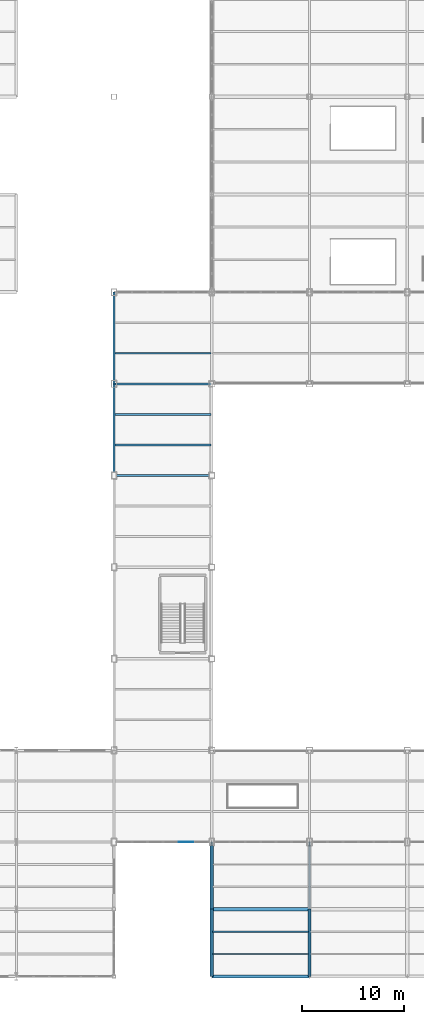
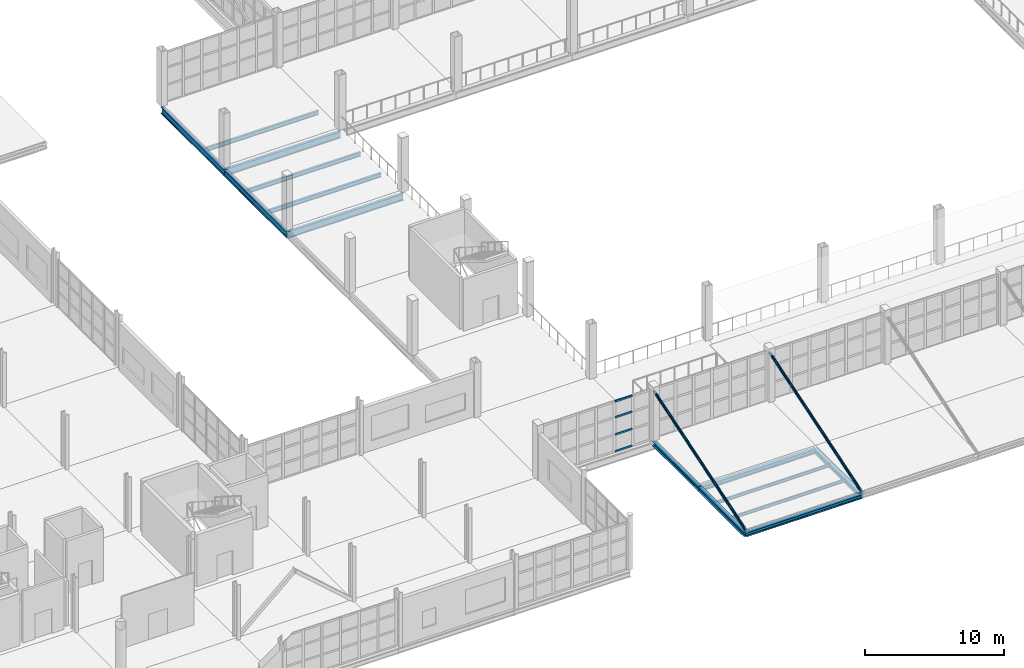
# One storey, part 26 of 120: 14 beams, 6 members, 1 element without a shape of its own.
"""IFC4 building model written with IfcOpenShell, lengths in metres."""

from ifc_helpers import new_model, si_unit, direction, frame, origin, origin_2d, place, context, subcontext, project, spatial, rectangle, hollow_circle, i_section, extrude, material, layer, layer_set, material_profile, profile_set, type_object, element, aggregate, save


model = new_model("IFC4")

# Units and contexts
model_context = context("Model", 3, precision=1e-05, world=origin(), true_north=direction((0.0, 1.0)))
body_context = subcontext(model_context, "Body", "Model", "MODEL_VIEW")
ifc_project = project(units=[si_unit("LENGTHUNIT", "METRE"), si_unit("AREAUNIT", "SQUARE_METRE"), si_unit("VOLUMEUNIT", "CUBIC_METRE"), si_unit("PLANEANGLEUNIT", "RADIAN"), si_unit("MASSUNIT", "GRAM", prefix="KILO")], contexts=[model_context])

# Site, building, storey
site_placement = place(None, origin())
site = spatial("IfcSite", under=ifc_project, at=site_placement, CompositionType="ELEMENT")
building_placement = place(site_placement, origin())
building = spatial("IfcBuilding", under=site, at=building_placement, Name="Zarnetskaya Central Station", CompositionType="ELEMENT")
storey_placement = place(building_placement, frame((0.0, 0.0, 5.39990234375)))
storey = spatial("IfcBuildingStorey", under=building, at=storey_placement, Name="L01", CompositionType="ELEMENT", Elevation=5.39990234375)

# Beams
ifc_material_1 = material(Name="Steel S355", Category="steel")
ifc_material_profile_1 = material_profile(ifc_material_1, i_section(OverallWidth=0.135009765625, OverallDepth=0.27001953125, WebThickness=0.006591796875, FlangeThickness=0.01025390625, FilletRadius=0.014892578125, at=origin_2d()), Name="IPE 270")
ifc_profile_set_1 = profile_set([ifc_material_profile_1], Name="Steel S355")
beam_type_1 = type_object("IfcBeamType", Name="BM-JST-270", PredefinedType="JOIST", material=ifc_profile_set_1)
for number, where, z_axis, x_axis, name in (
    (1, (67.280029296875, 2.199951171875, -0.294921875), (1.0, 0.0, 0.0), (0.0, 1.0, 0.0), "Secondary floor beam SEC-L01-Z524-HJ-12-1"),
    (2, (67.280029296875, 4.39990234375, -0.294921875), (1.0, 0.0, 0.0), (0.0, 1.0, 0.0), "Secondary floor beam SEC-L01-Z524-HJ-12-2"),
):
    element("IfcBeam", number, at=place(storey_placement, frame(where, z_axis=z_axis, x_axis=x_axis)), inside=storey, type_object=beam_type_1, Name=name, PredefinedType="JOIST", context=body_context, shape_type="SweptSolid", body=[
        extrude(i_section(OverallWidth=0.135009765625, OverallDepth=0.27001953125, WebThickness=0.006591796875, FlangeThickness=0.01025390625, FilletRadius=0.014892578125, at=origin_2d()), origin(), (0.0, 0.0, 1.0), 9.43994140625),
    ])
ifc_material_profile_2 = material_profile(ifc_material_1, i_section(OverallWidth=0.169921875, OverallDepth=0.360107421875, WebThickness=0.008056640625, FlangeThickness=0.0126953125, FilletRadius=0.01806640625, at=origin_2d()), Name="IPE 360")
ifc_profile_set_2 = profile_set([ifc_material_profile_2], Name="Steel S355")
beam_type_2 = type_object("IfcBeamType", Name="BM-SEC-360", PredefinedType="BEAM", material=ifc_profile_set_2)
for number, where, z_axis, x_axis, name in (
    (3, (57.679931640625, 52.199951171875, -0.4599609375), (1.0, 0.0, 0.0), (0.0, 1.0, 0.0), "Secondary floor beam SEC-L01-Z512-GH-78-1"),
    (4, (57.679931640625, 55.199951171875, -0.4599609375), (1.0, 0.0, 0.0), (0.0, 1.0, 0.0), "Secondary floor beam SEC-L01-Z512-GH-78-2"),
    (5, (57.679931640625, 61.199951171875, -0.4599609375), (1.0, 0.0, 0.0), (0.0, 1.0, 0.0), "Secondary floor beam SEC-L01-Z512-GH-89-1"),
):
    element("IfcBeam", number, at=place(storey_placement, frame(where, z_axis=z_axis, x_axis=x_axis)), inside=storey, type_object=beam_type_2, Name=name, PredefinedType="BEAM", context=body_context, shape_type="SweptSolid", body=[
        extrude(i_section(OverallWidth=0.169921875, OverallDepth=0.360107421875, WebThickness=0.008056640625, FlangeThickness=0.0126953125, FilletRadius=0.01806640625, at=origin_2d()), origin(), (0.0, 0.0, 1.0), 9.440185546875),
    ])
ifc_material_profile_3 = material_profile(ifc_material_1, i_section(OverallWidth=0.300048828125, OverallDepth=0.35009765625, WebThickness=0.010009765625, FlangeThickness=0.017578125, FilletRadius=0.027099609375, at=origin_2d()), Name="HEA 360")
ifc_profile_set_3 = profile_set([ifc_material_profile_3], Name="Steel S355")
beam_type_3 = type_object("IfcBeamType", Name="BM-SPN-EAVE", PredefinedType="SPANDREL", material=ifc_profile_set_3)
beam_1_placement = place(storey_placement, frame((67.199951171875, 0.0, -0.3349609375), z_axis=(1.0, 0.0, 0.0), x_axis=(0.0, 1.0, 0.0)))
element("IfcBeam", 6, at=beam_1_placement, inside=storey, type_object=beam_type_3, Name="Grid girder GX-L01-1-HJ", PredefinedType="SPANDREL", context=body_context, shape_type="SweptSolid", body=[
    extrude(i_section(OverallWidth=0.300048828125, OverallDepth=0.35009765625, WebThickness=0.010009765625, FlangeThickness=0.017578125, FilletRadius=0.027099609375, at=origin_2d()), origin(), (0.0, 0.0, 1.0), 9.60009765625),
])

# Curtain wall, members
ifc_material_2 = material(Name="Low-E insulated glass", Category="glass")
ifc_layer = layer(ifc_material_2, 0.16796875, Name="Low-E insulated glass", Category="glass")
ifc_layer_set = layer_set([ifc_layer], Name="Low-E insulated glass")
curtain_wall_type = type_object("IfcCurtainWallType", Name="CW-SYS-08", PredefinedType="USERDEFINED", material=ifc_layer_set)
curtain_wall_placement = place(storey_placement, origin())
curtain_wall = element("IfcCurtainWall", 7, at=curtain_wall_placement, inside=storey, type_object=curtain_wall_type, Name="Curtain wall CW-L01-074", ObjectType="CURTAIN WALL", PredefinedType="USERDEFINED")
ifc_material_3 = material(Name="Anodised aluminium", Category="aluminium")
ifc_material_profile_4 = material_profile(ifc_material_3, rectangle(XDim=0.080078125, YDim=0.159912109375, at=origin_2d()), Name="ALU TRAN 80x160")
ifc_profile_set_4 = profile_set([ifc_material_profile_4], Name="Anodised aluminium")
member_type_1 = type_object("IfcMemberType", Name="CW-TRAN-160", PredefinedType="USERDEFINED", material=ifc_profile_set_4)
member_1_placement = place(storey_placement, frame((65.393310546875, 13.199951171875, 0.0400390625), z_axis=(-1.0, 0.0, 0.0), x_axis=(0.0, -1.0, 0.0)))
member_1 = element("IfcMember", 8, at=member_1_placement, type_object=member_type_1, Name="CW-16 transom 2.1", ObjectType="TRANSOM", PredefinedType="USERDEFINED", context=body_context, shape_type="SweptSolid", body=[
    extrude(rectangle(XDim=0.080078125, YDim=0.159912109375, at=origin_2d()), origin(), (0.0, 0.0, 1.0), 1.4365234375),
])
member_2_placement = place(storey_placement, frame((65.393310546875, 13.199951171875, 1.51318359375), z_axis=(-1.0, 0.0, 0.0), x_axis=(0.0, -1.0, 0.0)))
member_2 = element("IfcMember", 9, at=member_2_placement, type_object=member_type_1, Name="CW-16 transom 2.2", ObjectType="TRANSOM", PredefinedType="USERDEFINED", context=body_context, shape_type="SweptSolid", body=[
    extrude(rectangle(XDim=0.080078125, YDim=0.159912109375, at=origin_2d()), origin(), (0.0, 0.0, 1.0), 1.4365234375),
])
member_3_placement = place(storey_placement, frame((65.393310546875, 13.199951171875, 3.026123046875), z_axis=(-1.0, 0.0, 0.0), x_axis=(0.0, -1.0, 0.0)))
member_3 = element("IfcMember", 10, at=member_3_placement, type_object=member_type_1, Name="CW-16 transom 2.3", ObjectType="TRANSOM", PredefinedType="USERDEFINED", context=body_context, shape_type="SweptSolid", body=[
    extrude(rectangle(XDim=0.080078125, YDim=0.159912109375, at=origin_2d()), origin(), (0.0, 0.0, 1.0), 1.4365234375),
])
member_4_placement = place(storey_placement, frame((65.393310546875, 13.199951171875, 4.41015625), z_axis=(-1.0, 0.0, 0.0), x_axis=(0.0, -1.0, 0.0)))
member_4 = element("IfcMember", 11, at=member_4_placement, type_object=member_type_1, Name="CW-16 transom 2.4", ObjectType="TRANSOM", PredefinedType="USERDEFINED", context=body_context, shape_type="SweptSolid", body=[
    extrude(rectangle(XDim=0.080078125, YDim=0.159912109375, at=origin_2d()), origin(), (0.0, 0.0, 1.0), 1.4365234375),
])
aggregate(curtain_wall, [member_1, member_2, member_3, member_4])

# Beams
ifc_material_profile_5 = material_profile(ifc_material_1, i_section(OverallWidth=0.2099609375, OverallDepth=0.550048828125, WebThickness=0.010986328125, FlangeThickness=0.01708984375, FilletRadius=0.02392578125, at=origin_2d()), Name="IPE 550")
ifc_profile_set_5 = profile_set([ifc_material_profile_5], Name="Steel S355")
beam_type_4 = type_object("IfcBeamType", Name="GD-FLR-550", PredefinedType="USERDEFINED", material=ifc_profile_set_5)
for number, where, z_axis, x_axis, name in (
    (12, (57.60009765625, 49.199951171875, -0.554931640625), (0.0, 1.0, 0.0), (-1.0, 0.0, 0.0), "Grid girder GY-L01-G-78"),
    (13, (57.60009765625, 58.199951171875, -0.554931640625), (0.0, 1.0, 0.0), (-1.0, 0.0, 0.0), "Grid girder GY-L01-G-89"),
):
    element("IfcBeam", number, at=place(storey_placement, frame(where, z_axis=z_axis, x_axis=x_axis)), inside=storey, type_object=beam_type_4, Name=name, ObjectType="GIRDER", PredefinedType="USERDEFINED", context=body_context, shape_type="SweptSolid", body=[
        extrude(i_section(OverallWidth=0.2099609375, OverallDepth=0.550048828125, WebThickness=0.010986328125, FlangeThickness=0.01708984375, FilletRadius=0.02392578125, at=origin_2d()), origin(), (0.0, 0.0, 1.0), 9.0),
    ])
ifc_material_profile_6 = material_profile(ifc_material_1, i_section(OverallWidth=0.219970703125, OverallDepth=0.60009765625, WebThickness=0.011962890625, FlangeThickness=0.01904296875, FilletRadius=0.02392578125, at=origin_2d()), Name="IPE 600")
ifc_profile_set_6 = profile_set([ifc_material_profile_6], Name="Steel S355")
beam_type_5 = type_object("IfcBeamType", Name="GD-FLR-600", PredefinedType="USERDEFINED", material=ifc_profile_set_6)
for number, where, z_axis, x_axis, name in (
    (14, (57.60009765625, 49.199951171875, -0.579833984375), (1.0, 0.0, 0.0), (0.0, 1.0, 0.0), "Grid girder GX-L01-7-GH"),
    (15, (57.60009765625, 58.199951171875, -0.579833984375), (1.0, 0.0, 0.0), (0.0, 1.0, 0.0), "Grid girder GX-L01-8-GH"),
):
    element("IfcBeam", number, at=place(storey_placement, frame(where, z_axis=z_axis, x_axis=x_axis)), inside=storey, type_object=beam_type_5, Name=name, ObjectType="GIRDER", PredefinedType="USERDEFINED", context=body_context, shape_type="SweptSolid", body=[
        extrude(i_section(OverallWidth=0.219970703125, OverallDepth=0.60009765625, WebThickness=0.011962890625, FlangeThickness=0.01904296875, FilletRadius=0.02392578125, at=origin_2d()), origin(), (0.0, 0.0, 1.0), 9.599853515625),
    ])
ifc_material_profile_7 = material_profile(ifc_material_1, i_section(OverallWidth=0.300048828125, OverallDepth=0.389892578125, WebThickness=0.010986328125, FlangeThickness=0.01904296875, FilletRadius=0.027099609375, at=origin_2d()), Name="HEA 400")
ifc_profile_set_7 = profile_set([ifc_material_profile_7], Name="Steel S355")
beam_type_6 = type_object("IfcBeamType", Name="GD-ROOF-400", PredefinedType="USERDEFINED", material=ifc_profile_set_7)
beam_2_placement = place(storey_placement, frame((67.199951171875, 0.0, -0.35498046875), z_axis=(0.0, 1.0, 0.0), x_axis=(-1.0, 0.0, 0.0)))
element("IfcBeam", 16, at=beam_2_placement, inside=storey, type_object=beam_type_6, Name="Grid girder GY-L01-H-12", ObjectType="GIRDER", PredefinedType="USERDEFINED", context=body_context, shape_type="SweptSolid", body=[
    extrude(i_section(OverallWidth=0.300048828125, OverallDepth=0.389892578125, WebThickness=0.010986328125, FlangeThickness=0.01904296875, FilletRadius=0.027099609375, at=origin_2d()), origin(), (0.0, 0.0, 1.0), 6.60009765625),
])
beam_3_placement = place(storey_placement, frame((67.199951171875, 6.60009765625, -0.35498046875), z_axis=(0.0, 1.0, 0.0), x_axis=(-1.0, 0.0, 0.0)))
element("IfcBeam", 17, at=beam_3_placement, inside=storey, type_object=beam_type_6, Name="Grid girder GY-L01-H-23", ObjectType="GIRDER", PredefinedType="USERDEFINED", context=body_context, shape_type="SweptSolid", body=[
    extrude(i_section(OverallWidth=0.300048828125, OverallDepth=0.389892578125, WebThickness=0.010986328125, FlangeThickness=0.01904296875, FilletRadius=0.027099609375, at=origin_2d()), origin(), (0.0, 0.0, 1.0), 6.599853515625),
])
beam_4_placement = place(storey_placement, frame((67.199951171875, 6.60009765625, -0.35498046875), z_axis=(1.0, 0.0, 0.0), x_axis=(0.0, 1.0, 0.0)))
element("IfcBeam", 18, at=beam_4_placement, inside=storey, type_object=beam_type_6, Name="Grid girder GX-L01-2-HJ", ObjectType="GIRDER", PredefinedType="USERDEFINED", context=body_context, shape_type="SweptSolid", body=[
    extrude(i_section(OverallWidth=0.300048828125, OverallDepth=0.389892578125, WebThickness=0.010986328125, FlangeThickness=0.01904296875, FilletRadius=0.027099609375, at=origin_2d()), origin(), (0.0, 0.0, 1.0), 9.60009765625),
])
beam_5_placement = place(storey_placement, frame((76.800048828125, 0.0, -0.35498046875), z_axis=(0.0, 1.0, 0.0), x_axis=(-1.0, 0.0, 0.0)))
element("IfcBeam", 19, at=beam_5_placement, inside=storey, type_object=beam_type_6, Name="Grid girder GY-L01-J-12", ObjectType="GIRDER", PredefinedType="USERDEFINED", context=body_context, shape_type="SweptSolid", body=[
    extrude(i_section(OverallWidth=0.300048828125, OverallDepth=0.389892578125, WebThickness=0.010986328125, FlangeThickness=0.01904296875, FilletRadius=0.027099609375, at=origin_2d()), origin(), (0.0, 0.0, 1.0), 6.60009765625),
])

# Members
ifc_material_profile_8 = material_profile(ifc_material_1, hollow_circle(Radius=0.109619140625, WallThickness=0.010009765625, at=origin_2d()), Name="CHS 219.1x10")
ifc_profile_set_8 = profile_set([ifc_material_profile_8], Name="Steel S355")
member_type_2 = type_object("IfcMemberType", Name="MB-FCAN-TIE", PredefinedType="STRUT", material=ifc_profile_set_8)
for number, where, z_axis, x_axis, name in (
    (20, (67.199951171875, 13.199951171875, 4.2001953125), (0.0, -0.952671589455, -0.304001385926), (1.0, 0.0, 0.0), "Forecourt canopy suspension tie H"),
    (21, (76.800048828125, 13.199951171875, 4.2001953125), (0.0, -0.952671589455, -0.304001385926), (1.0, 0.0, 0.0), "Forecourt canopy suspension tie J"),
):
    element("IfcMember", number, at=place(storey_placement, frame(where, z_axis=z_axis, x_axis=x_axis)), inside=storey, type_object=member_type_2, Name=name, PredefinedType="STRUT", context=body_context, shape_type="SweptSolid", body=[
        extrude(hollow_circle(Radius=0.109619140625, WallThickness=0.010009765625, at=origin_2d()), origin(), (0.0, 0.0, 1.0), 13.855712890625),
    ])

save(model, "model.ifc")
